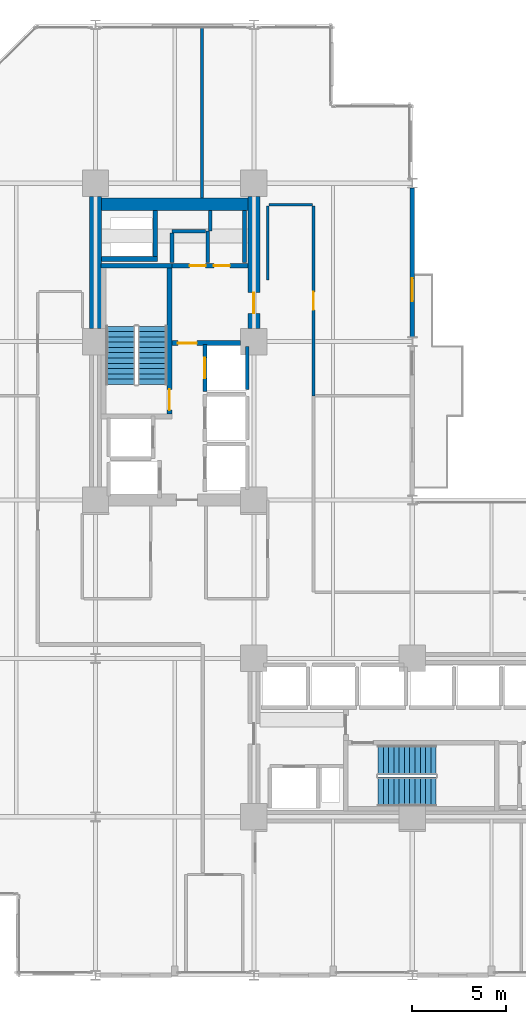
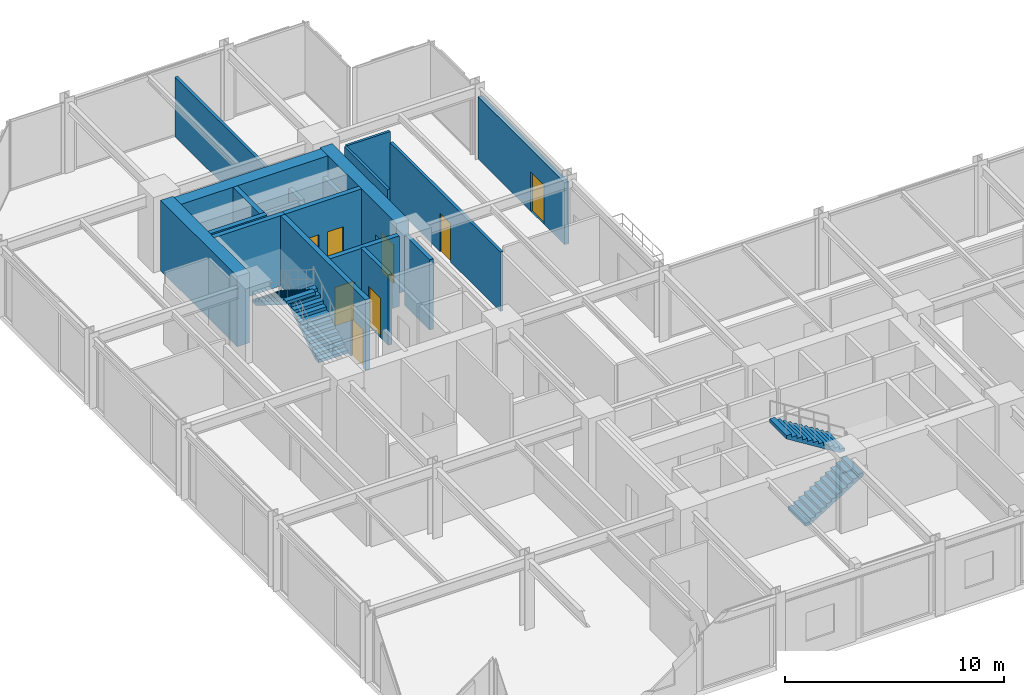
# One storey, part 21 of 24: 21 walls, 8 doors, 4 stair flights, 8 openings, 2 elements without a shape of their own.
"""IFC4 building model written with IfcOpenShell, lengths in metres."""

from ifc_helpers import new_model, si_unit, direction, frame, frame_2d, origin, place, context, subcontext, project, spatial, polyline, rectangle, outline, extrude, material, layer, layer_set, type_object, element, fill, aggregate, save


model = new_model("IFC4")

# Units and contexts
model_context = context("Model", 3, precision=1e-05, world=origin(), true_north=direction((0.0, 1.0)))
body_context = subcontext(model_context, "Body", "Model", "MODEL_VIEW")
ifc_project = project(units=[si_unit("LENGTHUNIT", "METRE"), si_unit("AREAUNIT", "SQUARE_METRE"), si_unit("VOLUMEUNIT", "CUBIC_METRE"), si_unit("PLANEANGLEUNIT", "RADIAN"), si_unit("MASSUNIT", "GRAM", prefix="KILO")], contexts=[model_context])

# Site, building, storey
site_placement = place(None, origin())
site = spatial("IfcSite", under=ifc_project, at=site_placement, CompositionType="ELEMENT")
building_placement = place(site_placement, origin())
building = spatial("IfcBuilding", under=site, at=building_placement, Name="Nerrivon Quay Data Exchange", CompositionType="ELEMENT")
storey_placement = place(building_placement, frame((0.0, 0.0, 50.0)))
storey = spatial("IfcBuildingStorey", under=building, at=storey_placement, Name="L11", CompositionType="ELEMENT", Elevation=50.0)

# Wall, opening, door
ifc_material_1 = material(Name="Architectural terracotta precast concrete N50 (50 MPa)", Category="masonry")
ifc_layer_1 = layer(ifc_material_1, 0.239990234375)
ifc_layer_set_1 = layer_set([ifc_layer_1], Name="Architectural terracotta precast concrete N50 (50 MPa)")
wall_type_1 = type_object("IfcWallType", Name="EW-PREC-240", PredefinedType="STANDARD", material=ifc_layer_set_1)
wall_1_placement = place(storey_placement, frame((25.199951171875, 41.75, 0.0), z_axis=(0.0, 0.0, 1.0), x_axis=(0.0, -1.0, 0.0)))
wall_1 = element("IfcWall", 1, at=wall_1_placement, inside=storey, type_object=wall_type_1, Name="L11 Terrace Host Wall 26", PredefinedType="STANDARD", context=body_context, shape_type="SweptSolid", body=[
    extrude(rectangle(XDim=7.89990234375, YDim=0.239990234375, at=frame_2d((3.949951171875, 0.0))), origin(), (0.0, 0.0, 1.0), 3.470947265625),
])
opening_1_placement = place(wall_1_placement, frame((4.800048828125, 0.0, 0.0)))
opening_1 = element("IfcOpeningElement", 2, at=opening_1_placement, cuts=wall_1, Name="Opening TD1", PredefinedType="OPENING", context=body_context, shape_type="SweptSolid", body=[
    extrude(rectangle(XDim=1.199951171875, YDim=2.199951171875, at=frame_2d((0.60009765625, 1.10009765625))), frame((0.0, 0.1298828125, 0.0), z_axis=(0.0, -1.0, 0.0), x_axis=(1.0, 0.0, 0.0)), (0.0, 0.0, 1.0), 0.260009765625),
])
ifc_material_2 = material(Name="Double-glazed low-E solar control glass", Category="glass")
door_type_1 = type_object("IfcDoorType", Name="DR-TERR-1200x2200", OperationType="NOTDEFINED", PredefinedType="DOOR", material=ifc_material_2)
door_1_placement = place(opening_1_placement, origin())
door_1 = element("IfcDoor", 3, at=door_1_placement, inside=storey, type_object=door_type_1, Name="L11 Outdoor Terrace Access Door 26", OperationType="SINGLE_SWING_LEFT", OverallHeight=2.199951171875, OverallWidth=1.199951171875, PredefinedType="DOOR", context=body_context, shape_type="SweptSolid", body=[
    extrude(rectangle(XDim=1.199951171875, YDim=2.199951171875, at=frame_2d((0.60009765625, 1.10009765625))), frame((0.0, 0.02490234375, 0.0), z_axis=(0.0, -1.0, 0.0), x_axis=(1.0, 0.0, 0.0)), (0.0, 0.0, 1.0), 0.050048828125),
])
fill(opening_1, door_1)

# Walls
ifc_material_3 = material(Name="Concrete N80 (80 MPa)", Category="concrete")
ifc_layer_2 = layer(ifc_material_3, 0.64990234375)
ifc_layer_set_2 = layer_set([ifc_layer_2], Name="Concrete N80 (80 MPa)")
wall_type_2 = type_object("IfcWallType", Name="WALL-CW-850", PredefinedType="SHEAR", material=ifc_layer_set_2)
wall_2_placement = place(storey_placement, frame((8.39990234375, 34.300048828125, 0.0), z_axis=(0.0, 0.0, 1.0), x_axis=(0.0, 1.0, 0.0)))
element("IfcWall", 4, at=wall_2_placement, inside=storey, type_object=wall_type_2, Name="L11 West Split-Core Shear Wall WCW-W2", PredefinedType="SHEAR", context=body_context, shape_type="SweptSolid", body=[
    extrude(rectangle(XDim=7.0, YDim=0.64990234375, at=frame_2d((3.5, 0.0))), origin(), (0.0, 0.0, 1.0), 3.925048828125),
])
wall_3_placement = place(storey_placement, frame((8.72509765625, 40.875, 0.0), z_axis=(0.0, 0.0, 1.0), x_axis=(1.0, 0.0, 0.0)))
element("IfcWall", 5, at=wall_3_placement, inside=storey, type_object=wall_type_2, Name="L11 West Split-Core Shear Wall WCW-N1", PredefinedType="SHEAR", context=body_context, shape_type="SweptSolid", body=[
    extrude(rectangle(XDim=7.75, YDim=0.64990234375, at=frame_2d((3.875, 0.0))), origin(), (0.0, 0.0, 1.0), 3.925048828125),
])

# Wall, opening, door
wall_4_placement = place(storey_placement, frame((16.800048828125, 34.300048828125, 0.0), z_axis=(0.0, 0.0, 1.0), x_axis=(0.0, 1.0, 0.0)))
wall_4 = element("IfcWall", 6, at=wall_4_placement, inside=storey, type_object=wall_type_2, Name="L11 West Split-Core Shear Wall WCW-E1", PredefinedType="SHEAR", context=body_context, shape_type="SweptSolid", body=[
    extrude(rectangle(XDim=7.0, YDim=0.64990234375, at=frame_2d((3.5, 0.0))), origin(), (0.0, 0.0, 1.0), 3.925048828125),
])
opening_2_placement = place(wall_4_placement, frame((0.800048828125, 0.0, 0.0)))
opening_2 = element("IfcOpeningElement", 7, at=opening_2_placement, cuts=wall_4, Name="Opening FD-120", PredefinedType="OPENING", context=body_context, shape_type="SweptSolid", body=[
    extrude(rectangle(XDim=1.10009765625, YDim=2.14990234375, at=frame_2d((0.550048828125, 1.074951171875))), frame((0.0, 0.3349609375, 0.0), z_axis=(0.0, -1.0, 0.0), x_axis=(1.0, 0.0, 0.0)), (0.0, 0.0, 1.0), 0.669921875),
])
ifc_material_4 = material(Name="Powder-coated galvanized steel sheet", Category="steel")
door_type_2 = type_object("IfcDoorType", Name="DR-FD120-1100", OperationType="NOTDEFINED", PredefinedType="DOOR", material=ifc_material_4)
door_2_placement = place(opening_2_placement, origin())
door_2 = element("IfcDoor", 8, at=door_2_placement, inside=storey, type_object=door_type_2, Name="L11 West Core Lobby Fire Door", OperationType="SINGLE_SWING_LEFT", OverallHeight=2.14990234375, OverallWidth=1.10009765625, PredefinedType="DOOR", context=body_context, shape_type="SweptSolid", body=[
    extrude(rectangle(XDim=1.10009765625, YDim=2.14990234375, at=frame_2d((0.550048828125, 1.074951171875))), frame((0.0, 0.02490234375, 0.0), z_axis=(0.0, -1.0, 0.0), x_axis=(1.0, 0.0, 0.0)), (0.0, 0.0, 1.0), 0.050048828125),
])
fill(opening_2, door_2)

ifc_material_5 = material(Name="Gypsum plasterboard on cold-formed framing", Category="gypsum")
ifc_layer_3 = layer(ifc_material_5, 0.199951171875)
ifc_layer_set_3 = layer_set([ifc_layer_3], Name="Gypsum plasterboard on cold-formed framing")
wall_type_3 = type_object("IfcWallType", Name="WALL-FW-200", PredefinedType="PARTITIONING", material=ifc_layer_set_3)
wall_5_placement = place(storey_placement, frame((14.199951171875, 30.949951171875, 0.0), z_axis=(0.0, 0.0, 1.0), x_axis=(0.0, 1.0, 0.0)))
wall_5 = element("IfcWall", 9, at=wall_5_placement, inside=storey, type_object=wall_type_3, Name="L11 Lift Front Wall PL3", PredefinedType="PARTITIONING", context=body_context, shape_type="SweptSolid", body=[
    extrude(rectangle(XDim=2.5, YDim=0.199951171875, at=frame_2d((1.25, 0.0))), origin(), (0.0, 0.0, 1.0), 3.925048828125),
])
opening_3_placement = place(wall_5_placement, frame((0.699951171875, 0.0, 0.0)))
opening_3 = element("IfcOpeningElement", 10, at=opening_3_placement, cuts=wall_5, Name="Opening LD-120", PredefinedType="OPENING", context=body_context, shape_type="SweptSolid", body=[
    extrude(rectangle(XDim=1.10009765625, YDim=2.199951171875, at=frame_2d((0.550048828125, 1.10009765625))), frame((0.0, 0.10986328125, 0.0), z_axis=(0.0, -1.0, 0.0), x_axis=(1.0, 0.0, 0.0)), (0.0, 0.0, 1.0), 0.219970703125),
])
door_type_3 = type_object("IfcDoorType", Name="DR-LIFT-LD120", OperationType="DOUBLE_DOOR_SLIDING", PredefinedType="DOOR", material=ifc_material_4)
door_3_placement = place(opening_3_placement, origin())
door_3 = element("IfcDoor", 11, at=door_3_placement, inside=storey, type_object=door_type_3, Name="L11 Lift Landing Sliding Door PL3", OperationType="DOUBLE_DOOR_SLIDING", OverallHeight=2.199951171875, OverallWidth=1.10009765625, PredefinedType="DOOR", context=body_context, shape_type="SweptSolid", body=[
    extrude(rectangle(XDim=1.10009765625, YDim=2.199951171875, at=frame_2d((0.550048828125, 1.10009765625))), frame((0.0, 0.02490234375, 0.0), z_axis=(0.0, -1.0, 0.0), x_axis=(1.0, 0.0, 0.0)), (0.0, 0.0, 1.0), 0.050048828125),
])
fill(opening_3, door_3)

# Walls
wall_6_placement = place(storey_placement, frame((16.449951171875, 31.050048828125, 0.0), z_axis=(0.0, 0.0, 1.0), x_axis=(0.0, 1.0, 0.0)))
element("IfcWall", 12, at=wall_6_placement, inside=storey, type_object=wall_type_3, Name="L11 Lift Shaft Wall PL3 EAST", PredefinedType="PARTITIONING", context=body_context, shape_type="SweptSolid", body=[
    extrude(rectangle(XDim=2.300048828125, YDim=0.199951171875, at=frame_2d((1.14990234375, 0.0))), origin(), (0.0, 0.0, 1.0), 3.925048828125),
])
wall_7_placement = place(storey_placement, frame((14.35009765625, 37.780029296875, 0.0), z_axis=(0.0, 0.0, 1.0), x_axis=(0.0, 1.0, 0.0)))
element("IfcWall", 13, at=wall_7_placement, inside=storey, type_object=wall_type_3, Name="L11 Partition Equipment Store", PredefinedType="PARTITIONING", context=body_context, shape_type="SweptSolid", body=[
    extrude(rectangle(XDim=1.669921875, YDim=0.199951171875, at=frame_2d((0.8349609375, 0.0))), origin(), (0.0, 0.0, 1.0), 2.824951171875),
])
wall_8_placement = place(storey_placement, frame((14.24609375, 39.449951171875, 0.0), z_axis=(0.0, 0.0, 1.0), x_axis=(-1.0, 0.0, 0.0)))
element("IfcWall", 14, at=wall_8_placement, inside=storey, type_object=wall_type_3, Name="L11 Partition Equipment Store", PredefinedType="PARTITIONING", context=body_context, shape_type="SweptSolid", body=[
    extrude(rectangle(XDim=1.796142578125, YDim=0.199951171875, at=frame_2d((0.89794921875, 0.0))), origin(), (0.0, 0.0, 1.0), 2.824951171875),
])
wall_9_placement = place(storey_placement, frame((12.449951171875, 39.345947265625, 0.0), z_axis=(0.0, 0.0, 1.0), x_axis=(0.0, -1.0, 0.0)))
element("IfcWall", 15, at=wall_9_placement, inside=storey, type_object=wall_type_3, Name="L11 Partition Equipment Store", PredefinedType="PARTITIONING", context=body_context, shape_type="SweptSolid", body=[
    extrude(rectangle(XDim=1.56591796875, YDim=0.199951171875, at=frame_2d((0.782958984375, 0.0))), origin(), (0.0, 0.0, 1.0), 2.824951171875),
])
wall_10_placement = place(storey_placement, frame((16.300048828125, 37.780029296875, 0.0), z_axis=(0.0, 0.0, 1.0), x_axis=(0.0, 1.0, 0.0)))
element("IfcWall", 16, at=wall_10_placement, inside=storey, type_object=wall_type_3, Name="L11 Partition Cleaners Store", PredefinedType="PARTITIONING", context=body_context, shape_type="SweptSolid", body=[
    extrude(rectangle(XDim=2.765869140625, YDim=0.199951171875, at=frame_2d((1.3828125, 0.0))), origin(), (0.0, 0.0, 1.0), 2.824951171875),
])
wall_11_placement = place(storey_placement, frame((14.489990234375, 40.5458984375, 0.0), z_axis=(0.0, 0.0, 1.0), x_axis=(0.0, -1.0, 0.0)))
element("IfcWall", 17, at=wall_11_placement, inside=storey, type_object=wall_type_3, Name="L11 Partition Cleaners Store", PredefinedType="PARTITIONING", context=body_context, shape_type="SweptSolid", body=[
    extrude(rectangle(XDim=1.095947265625, YDim=0.199951171875, at=frame_2d((0.5478515625, 0.0))), origin(), (0.0, 0.0, 1.0), 2.824951171875),
])
ifc_layer_4 = layer(ifc_material_5, 0.1201171875)
ifc_layer_set_4 = layer_set([ifc_layer_4], Name="Gypsum plasterboard on cold-formed framing")
wall_type_4 = type_object("IfcWallType", Name="WALL-PT-120", PredefinedType="PARTITIONING", material=ifc_layer_set_4)
wall_12_placement = place(storey_placement, frame((17.60009765625, 40.860107421875, 0.0), z_axis=(0.0, 0.0, 1.0), x_axis=(1.0, 0.0, 0.0)))
element("IfcWall", 18, at=wall_12_placement, inside=storey, type_object=wall_type_4, Name="L11 Partition Staff Bistro", PredefinedType="PARTITIONING", context=body_context, shape_type="SweptSolid", body=[
    extrude(rectangle(XDim=2.2998046875, YDim=0.1201171875, at=frame_2d((1.14990234375, 0.0))), origin(), (0.0, 0.0, 1.0), 3.925048828125),
])
ifc_layer_5 = layer(ifc_material_5, 0.135009765625)
ifc_layer_set_5 = layer_set([ifc_layer_5], Name="Gypsum plasterboard on cold-formed framing")
wall_type_5 = type_object("IfcWallType", Name="WALL-PT-135", PredefinedType="PARTITIONING", material=ifc_layer_set_5)
wall_13_placement = place(storey_placement, frame((17.5400390625, 36.860107421875, 0.0), z_axis=(0.0, 0.0, 1.0), x_axis=(0.0, 1.0, 0.0)))
element("IfcWall", 19, at=wall_13_placement, inside=storey, type_object=wall_type_5, Name="L11 Partition Staff Bistro", PredefinedType="PARTITIONING", context=body_context, shape_type="SweptSolid", body=[
    extrude(rectangle(XDim=3.93994140625, YDim=0.135009765625, at=frame_2d((1.969970703125, 0.0))), origin(), (0.0, 0.0, 1.0), 3.925048828125),
])

# Wall, opening, door
ifc_layer_6 = layer(ifc_material_5, 0.14990234375)
ifc_layer_set_6 = layer_set([ifc_layer_6], Name="Gypsum plasterboard on cold-formed framing")
wall_type_6 = type_object("IfcWallType", Name="WALL-PT-150", PredefinedType="PARTITIONING", material=ifc_layer_set_6)
wall_14_placement = place(storey_placement, frame((19.9599609375, 40.800048828125, 0.0), z_axis=(0.0, 0.0, 1.0), x_axis=(0.0, -1.0, 0.0)))
wall_14 = element("IfcWall", 20, at=wall_14_placement, inside=storey, type_object=wall_type_6, Name="L11 Partition Staff Bistro", PredefinedType="PARTITIONING", context=body_context, shape_type="SweptSolid", body=[
    extrude(rectangle(XDim=10.078125, YDim=0.14990234375, at=frame_2d((5.0390625, 0.0))), origin(), (0.0, 0.0, 1.0), 3.31298828125),
])
opening_4_placement = place(wall_14_placement, frame((4.56396484375, 0.0, 0.0)))
opening_4 = element("IfcOpeningElement", 21, at=opening_4_placement, cuts=wall_14, Name="Opening D-01", PredefinedType="OPENING", context=body_context, shape_type="SweptSolid", body=[
    extrude(rectangle(XDim=0.949951171875, YDim=2.14990234375, at=frame_2d((0.47509765625, 1.074951171875))), frame((0.0, 0.0849609375, 0.0), z_axis=(0.0, -1.0, 0.0), x_axis=(1.0, 0.0, 0.0)), (0.0, 0.0, 1.0), 0.169921875),
])
ifc_material_6 = material(Name="Engineered hardwood timber", Category="wood")
door_type_4 = type_object("IfcDoorType", Name="DR-INT-950", OperationType="NOTDEFINED", PredefinedType="DOOR", material=ifc_material_6)
door_4_placement = place(opening_4_placement, origin())
door_4 = element("IfcDoor", 22, at=door_4_placement, inside=storey, type_object=door_type_4, Name="L11 Door Staff Bistro", OperationType="SINGLE_SWING_LEFT", OverallHeight=2.14990234375, OverallWidth=0.949951171875, PredefinedType="DOOR", context=body_context, shape_type="SweptSolid", body=[
    extrude(rectangle(XDim=0.949951171875, YDim=2.14990234375, at=frame_2d((0.47509765625, 1.074951171875))), frame((0.0, 0.02490234375, 0.0), z_axis=(0.0, -1.0, 0.0), x_axis=(1.0, 0.0, 0.0)), (0.0, 0.0, 1.0), 0.050048828125),
])
fill(opening_4, door_4)

# Walls
wall_15_placement = place(storey_placement, frame((14.0546875, 50.23095703125, 0.0), z_axis=(0.0, 0.0, 1.0), x_axis=(0.0, -1.0, 0.0)))
element("IfcWall", 23, at=wall_15_placement, inside=storey, type_object=wall_type_6, Name="L11 Partition Staff Bistro", PredefinedType="PARTITIONING", context=body_context, shape_type="SweptSolid", body=[
    extrude(rectangle(XDim=9.02685546875, YDim=0.14990234375, at=frame_2d((4.513427734375, 0.0))), origin(), (0.0, 0.0, 1.0), 3.31298828125),
])
ifc_material_7 = material(Name="Concrete N50 (50 MPa)", Category="concrete")
ifc_layer_7 = layer(ifc_material_7, 0.25)
ifc_layer_set_7 = layer_set([ifc_layer_7], Name="Concrete N50 (50 MPa)")
wall_type_7 = type_object("IfcWallType", Name="WALL-SW-250", PredefinedType="SHEAR", material=ifc_layer_set_7)
wall_16_placement = place(storey_placement, frame((12.449951171875, 37.625, 0.0), z_axis=(0.0, 0.0, 1.0), x_axis=(-1.0, 0.0, 0.0)))
element("IfcWall", 24, at=wall_16_placement, inside=storey, type_object=wall_type_7, Name="L11 ST01 Structural Stair Core Wall FAR", PredefinedType="SHEAR", context=body_context, shape_type="SweptSolid", body=[
    extrude(rectangle(XDim=3.75, YDim=0.25, at=frame_2d((1.875, 0.0))), origin(), (0.0, 0.0, 1.0), 3.925048828125),
])

# Wall, opening, door
wall_17_placement = place(storey_placement, frame((12.324951171875, 29.75, 0.0), z_axis=(0.0, 0.0, 1.0), x_axis=(0.0, 1.0, 0.0)))
wall_17 = element("IfcWall", 25, at=wall_17_placement, inside=storey, type_object=wall_type_7, Name="L11 ST01 Structural Stair Core Wall LEFT", PredefinedType="SHEAR", context=body_context, shape_type="SweptSolid", body=[
    extrude(rectangle(XDim=7.75, YDim=0.25, at=frame_2d((3.875, 0.0))), origin(), (0.0, 0.0, 1.0), 3.925048828125),
])
opening_5_placement = place(wall_17_placement, frame((0.219970703125, 0.0, 0.0)))
opening_5 = element("IfcOpeningElement", 26, at=opening_5_placement, cuts=wall_17, Name="Opening FD-120", PredefinedType="OPENING", context=body_context, shape_type="SweptSolid", body=[
    extrude(rectangle(XDim=1.10009765625, YDim=2.14990234375, at=frame_2d((0.550048828125, 1.074951171875))), frame((0.0, 0.135009765625, 0.0), z_axis=(0.0, -1.0, 0.0), x_axis=(1.0, 0.0, 0.0)), (0.0, 0.0, 1.0), 0.27001953125),
])
door_5_placement = place(opening_5_placement, origin())
door_5 = element("IfcDoor", 27, at=door_5_placement, inside=storey, type_object=door_type_2, Name="L11 Protected Stair Door ST01", OperationType="SINGLE_SWING_LEFT", OverallHeight=2.14990234375, OverallWidth=1.10009765625, PredefinedType="DOOR", context=body_context, shape_type="SweptSolid", body=[
    extrude(rectangle(XDim=1.10009765625, YDim=2.14990234375, at=frame_2d((0.550048828125, 1.074951171875))), frame((0.0, 0.02490234375, 0.0), z_axis=(0.0, -1.0, 0.0), x_axis=(1.0, 0.0, 0.0)), (0.0, 0.0, 1.0), 0.050048828125),
])
fill(opening_5, door_5)

# Walls
wall_18_placement = place(storey_placement, frame((8.72509765625, 37.97509765625, 0.0), z_axis=(0.0, 0.0, 1.0), x_axis=(1.0, 0.0, 0.0)))
element("IfcWall", 28, at=wall_18_placement, inside=storey, type_object=wall_type_7, Name="L11 West Core MEP Riser Shaft Wall S", PredefinedType="SHEAR", context=body_context, shape_type="SweptSolid", body=[
    extrude(rectangle(XDim=2.974853515625, YDim=0.25, at=frame_2d((1.4873046875, 0.0))), origin(), (0.0, 0.0, 1.0), 3.925048828125),
])
wall_19_placement = place(storey_placement, frame((11.574951171875, 38.10009765625, 0.0), z_axis=(0.0, 0.0, 1.0), x_axis=(0.0, 1.0, 0.0)))
element("IfcWall", 29, at=wall_19_placement, inside=storey, type_object=wall_type_7, Name="L11 West Core MEP Riser Shaft Wall E", PredefinedType="SHEAR", context=body_context, shape_type="SweptSolid", body=[
    extrude(rectangle(XDim=2.449951171875, YDim=0.25, at=frame_2d((1.22509765625, 0.0))), origin(), (0.0, 0.0, 1.0), 3.925048828125),
])

# Wall, opening, door
wall_20_placement = place(storey_placement, frame((12.449951171875, 33.52001953125, 0.0), z_axis=(0.0, 0.0, 1.0), x_axis=(1.0, 0.0, 0.0)))
wall_20 = element("IfcWall", 30, at=wall_20_placement, inside=storey, type_object=wall_type_7, Name="L11 West Lobby Smoke-Stop Wall", PredefinedType="SHEAR", context=body_context, shape_type="SweptSolid", body=[
    extrude(rectangle(XDim=3.650146484375, YDim=0.25, at=frame_2d((1.8251953125, 0.0))), origin(), (0.0, 0.0, 1.0), 3.925048828125),
])
opening_6_placement = place(wall_20_placement, frame((0.320068359375, 0.0, 0.0)))
opening_6 = element("IfcOpeningElement", 31, at=opening_6_placement, cuts=wall_20, Name="Opening FD-60", PredefinedType="OPENING", context=body_context, shape_type="SweptSolid", body=[
    extrude(rectangle(XDim=1.0, YDim=2.14990234375, at=frame_2d((0.5, 1.074951171875))), frame((0.0, 0.135009765625, 0.0), z_axis=(0.0, -1.0, 0.0), x_axis=(1.0, 0.0, 0.0)), (0.0, 0.0, 1.0), 0.27001953125),
])
door_type_5 = type_object("IfcDoorType", Name="DR-FD60-1000", OperationType="NOTDEFINED", PredefinedType="DOOR", material=ifc_material_6)
door_6_placement = place(opening_6_placement, origin())
door_6 = element("IfcDoor", 32, at=door_6_placement, inside=storey, type_object=door_type_5, Name="L11 West Firefighting Lobby Fire Door", OperationType="SINGLE_SWING_LEFT", OverallHeight=2.14990234375, OverallWidth=1.0, PredefinedType="DOOR", context=body_context, shape_type="SweptSolid", body=[
    extrude(rectangle(XDim=1.0, YDim=2.14990234375, at=frame_2d((0.5, 1.074951171875))), frame((0.0, 0.02490234375, 0.0), z_axis=(0.0, -1.0, 0.0), x_axis=(1.0, 0.0, 0.0)), (0.0, 0.0, 1.0), 0.050048828125),
])
fill(opening_6, door_6)

# Wall, openings, doors
wall_21_placement = place(storey_placement, frame((12.449951171875, 37.625, 0.0), z_axis=(0.0, 0.0, 1.0), x_axis=(1.0, 0.0, 0.0)))
wall_21 = element("IfcWall", 33, at=wall_21_placement, inside=storey, type_object=wall_type_7, Name="L11 West Firefighting Lobby Wall", PredefinedType="SHEAR", context=body_context, shape_type="SweptSolid", body=[
    extrude(rectangle(XDim=4.025146484375, YDim=0.25, at=frame_2d((2.0126953125, 0.0))), origin(), (0.0, 0.0, 1.0), 3.925048828125),
])
opening_7_placement = place(wall_21_placement, frame((0.943603515625, 0.0, 0.0)))
opening_7 = element("IfcOpeningElement", 34, at=opening_7_placement, cuts=wall_21, Name="Opening FD-60S", PredefinedType="OPENING", context=body_context, shape_type="SweptSolid", body=[
    extrude(rectangle(XDim=0.85009765625, YDim=2.14990234375, at=frame_2d((0.425048828125, 1.074951171875))), frame((0.0, 0.135009765625, 0.0), z_axis=(0.0, -1.0, 0.0), x_axis=(1.0, 0.0, 0.0)), (0.0, 0.0, 1.0), 0.27001953125),
])
opening_8_placement = place(wall_21_placement, frame((2.2314453125, 0.0, 0.0)))
opening_8 = element("IfcOpeningElement", 35, at=opening_8_placement, cuts=wall_21, Name="Opening FD-60S", PredefinedType="OPENING", context=body_context, shape_type="SweptSolid", body=[
    extrude(rectangle(XDim=0.85009765625, YDim=2.14990234375, at=frame_2d((0.425048828125, 1.074951171875))), frame((0.0, 0.135009765625, 0.0), z_axis=(0.0, -1.0, 0.0), x_axis=(1.0, 0.0, 0.0)), (0.0, 0.0, 1.0), 0.27001953125),
])
door_type_6 = type_object("IfcDoorType", Name="DR-FD60-850", OperationType="NOTDEFINED", PredefinedType="DOOR", material=ifc_material_6)
door_7_placement = place(opening_7_placement, origin())
door_7 = element("IfcDoor", 36, at=door_7_placement, inside=storey, type_object=door_type_6, Name="L11 Door Equipment Store", OperationType="SINGLE_SWING_LEFT", OverallHeight=2.14990234375, OverallWidth=0.85009765625, PredefinedType="DOOR", context=body_context, shape_type="SweptSolid", body=[
    extrude(rectangle(XDim=0.85009765625, YDim=2.14990234375, at=frame_2d((0.425048828125, 1.074951171875))), frame((0.0, 0.02490234375, 0.0), z_axis=(0.0, -1.0, 0.0), x_axis=(1.0, 0.0, 0.0)), (0.0, 0.0, 1.0), 0.050048828125),
])
fill(opening_7, door_7)
door_8_placement = place(opening_8_placement, origin())
door_8 = element("IfcDoor", 37, at=door_8_placement, inside=storey, type_object=door_type_6, Name="L11 Door Cleaners Store", OperationType="SINGLE_SWING_RIGHT", OverallHeight=2.14990234375, OverallWidth=0.85009765625, PredefinedType="DOOR", context=body_context, shape_type="SweptSolid", body=[
    extrude(rectangle(XDim=0.85009765625, YDim=2.14990234375, at=frame_2d((0.425048828125, 1.074951171875))), frame((0.0, 0.02490234375, 0.0), z_axis=(0.0, -1.0, 0.0), x_axis=(1.0, 0.0, 0.0)), (0.0, 0.0, 1.0), 0.050048828125),
])
fill(opening_8, door_8)

# Stair, stair flights
stair_type = type_object("IfcStairType", Name="STAIR-DOG-42", PredefinedType="HALF_TURN_STAIR", material=ifc_material_7)
stair_1_placement = place(storey_placement, origin())
stair_1 = element("IfcStair", 38, at=stair_1_placement, inside=storey, type_object=stair_type, Name="L11 West Core Fire Stair ST01", PredefinedType="HALF_TURN_STAIR")
stair_flight_type = type_object("IfcStairFlightType", Name="FLIGHT-DOG-42", PredefinedType="STRAIGHT", material=ifc_material_7)
stair_flight_1_placement = place(storey_placement, frame((11.425048828125, 31.330078125, 0.0), z_axis=(0.0, 0.0, 1.0), x_axis=(0.0, 1.0, 0.0)))
stair_flight_1 = element("IfcStairFlight", 39, at=stair_flight_1_placement, type_object=stair_flight_type, Name="ST01 flight 1", NumberOfRisers=12, NumberOfTreads=11, PredefinedType="STRAIGHT", RiserHeight=0.175, TreadLength=0.28, context=body_context, shape_type="SweptSolid", body=[
    extrude(outline(polyline([(0.0, 0.0), (0.0, 0.175048828125), (0.280029296875, 0.175048828125), (0.280029296875, 0.35009765625), (0.56005859375, 0.35009765625), (0.56005859375, 0.52490234375), (0.840087890625, 0.52490234375), (0.840087890625, 0.699951171875), (1.1201171875, 0.699951171875), (1.1201171875, 0.875), (1.39990234375, 0.875), (1.39990234375, 1.050048828125), (1.679931640625, 1.050048828125), (1.679931640625, 1.22509765625), (1.9599609375, 1.22509765625), (1.9599609375, 1.39990234375), (2.239990234375, 1.39990234375), (2.239990234375, 1.574951171875), (2.52001953125, 1.574951171875), (2.52001953125, 1.75), (2.800048828125, 1.75), (2.800048828125, 1.925048828125), (3.080078125, 1.925048828125), (3.080078125, 2.10009765625), (3.080078125, 1.748291015625), (0.28271484375, 0.0), (0.0, 0.0)])), frame((0.0, 0.77490234375, 0.0), z_axis=(0.0, -1.0, 0.0), x_axis=(1.0, 0.0, 0.0)), (0.0, 0.0, 1.0), 1.550048828125),
])
stair_flight_2_placement = place(storey_placement, frame((9.72509765625, 34.409912109375, 2.10009765625), z_axis=(0.0, 0.0, 1.0), x_axis=(0.0, -1.0, 0.0)))
stair_flight_2 = element("IfcStairFlight", 40, at=stair_flight_2_placement, type_object=stair_flight_type, Name="ST01 flight 2", NumberOfRisers=12, NumberOfTreads=11, PredefinedType="STRAIGHT", RiserHeight=0.175, TreadLength=0.28, context=body_context, shape_type="SweptSolid", body=[
    extrude(outline(polyline([(0.0, 0.0), (0.0, 0.175048828125), (0.280029296875, 0.175048828125), (0.280029296875, 0.35009765625), (0.56005859375, 0.35009765625), (0.56005859375, 0.52490234375), (0.840087890625, 0.52490234375), (0.840087890625, 0.699951171875), (1.1201171875, 0.699951171875), (1.1201171875, 0.875), (1.39990234375, 0.875), (1.39990234375, 1.050048828125), (1.679931640625, 1.050048828125), (1.679931640625, 1.22509765625), (1.9599609375, 1.22509765625), (1.9599609375, 1.39990234375), (2.239990234375, 1.39990234375), (2.239990234375, 1.574951171875), (2.52001953125, 1.574951171875), (2.52001953125, 1.75), (2.800048828125, 1.75), (2.800048828125, 1.925048828125), (3.080078125, 1.925048828125), (3.080078125, 2.10009765625), (3.080078125, 1.748291015625), (0.28271484375, 0.0), (0.0, 0.0)])), frame((0.0, 0.77490234375, 0.0), z_axis=(0.0, -1.0, 0.0), x_axis=(1.0, 0.0, 0.0)), (0.0, 0.0, 1.0), 1.550048828125),
])
aggregate(stair_1, [stair_flight_1, stair_flight_2])

stair_2_placement = place(storey_placement, origin())
stair_2 = element("IfcStair", 41, at=stair_2_placement, inside=storey, type_object=stair_type, Name="L11 East Core Fire Stair ST02", PredefinedType="HALF_TURN_STAIR")
stair_flight_3_placement = place(storey_placement, frame((23.3798828125, 9.72509765625, 0.0), z_axis=(0.0, 0.0, 1.0), x_axis=(1.0, 0.0, 0.0)))
stair_flight_3 = element("IfcStairFlight", 42, at=stair_flight_3_placement, type_object=stair_flight_type, Name="ST02 flight 1", NumberOfRisers=12, NumberOfTreads=11, PredefinedType="STRAIGHT", RiserHeight=0.175, TreadLength=0.28, context=body_context, shape_type="SweptSolid", body=[
    extrude(outline(polyline([(0.0, 0.0), (0.0, 0.175048828125), (0.280029296875, 0.175048828125), (0.280029296875, 0.35009765625), (0.56005859375, 0.35009765625), (0.56005859375, 0.52490234375), (0.840087890625, 0.52490234375), (0.840087890625, 0.699951171875), (1.1201171875, 0.699951171875), (1.1201171875, 0.875), (1.39990234375, 0.875), (1.39990234375, 1.050048828125), (1.679931640625, 1.050048828125), (1.679931640625, 1.22509765625), (1.9599609375, 1.22509765625), (1.9599609375, 1.39990234375), (2.239990234375, 1.39990234375), (2.239990234375, 1.574951171875), (2.52001953125, 1.574951171875), (2.52001953125, 1.75), (2.800048828125, 1.75), (2.800048828125, 1.925048828125), (3.080078125, 1.925048828125), (3.080078125, 2.10009765625), (3.080078125, 1.748291015625), (0.28271484375, 0.0), (0.0, 0.0)])), frame((0.0, 0.77490234375, 0.0), z_axis=(0.0, -1.0, 0.0), x_axis=(1.0, 0.0, 0.0)), (0.0, 0.0, 1.0), 1.550048828125),
])
stair_flight_4_placement = place(storey_placement, frame((26.4599609375, 11.425048828125, 2.10009765625), z_axis=(0.0, 0.0, 1.0), x_axis=(-1.0, 0.0, 0.0)))
stair_flight_4 = element("IfcStairFlight", 43, at=stair_flight_4_placement, type_object=stair_flight_type, Name="ST02 flight 2", NumberOfRisers=12, NumberOfTreads=11, PredefinedType="STRAIGHT", RiserHeight=0.175, TreadLength=0.28, context=body_context, shape_type="SweptSolid", body=[
    extrude(outline(polyline([(0.0, 0.0), (0.0, 0.175048828125), (0.280029296875, 0.175048828125), (0.280029296875, 0.35009765625), (0.56005859375, 0.35009765625), (0.56005859375, 0.52490234375), (0.840087890625, 0.52490234375), (0.840087890625, 0.699951171875), (1.1201171875, 0.699951171875), (1.1201171875, 0.875), (1.39990234375, 0.875), (1.39990234375, 1.050048828125), (1.679931640625, 1.050048828125), (1.679931640625, 1.22509765625), (1.9599609375, 1.22509765625), (1.9599609375, 1.39990234375), (2.239990234375, 1.39990234375), (2.239990234375, 1.574951171875), (2.52001953125, 1.574951171875), (2.52001953125, 1.75), (2.800048828125, 1.75), (2.800048828125, 1.925048828125), (3.080078125, 1.925048828125), (3.080078125, 2.10009765625), (3.080078125, 1.748291015625), (0.28271484375, 0.0), (0.0, 0.0)])), frame((0.0, 0.77490234375, 0.0), z_axis=(0.0, -1.0, 0.0), x_axis=(1.0, 0.0, 0.0)), (0.0, 0.0, 1.0), 1.550048828125),
])
aggregate(stair_2, [stair_flight_3, stair_flight_4])

save(model, "model.ifc")
